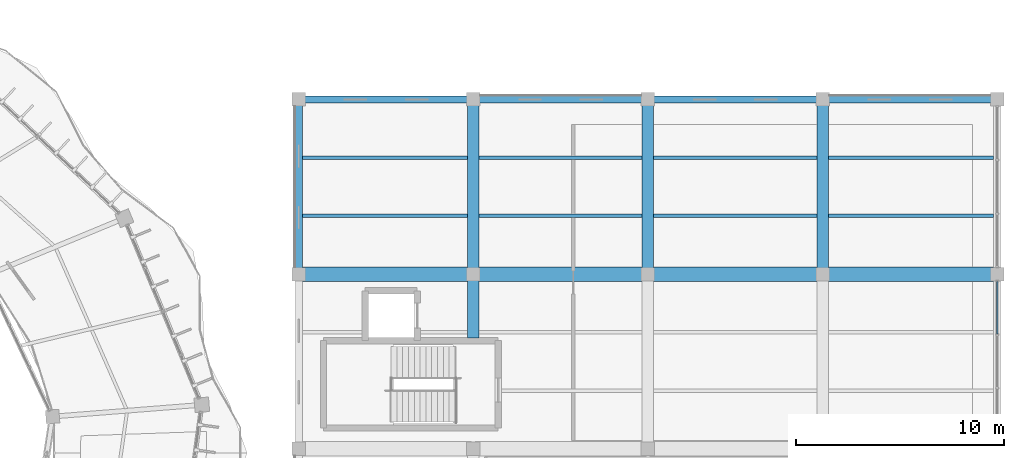
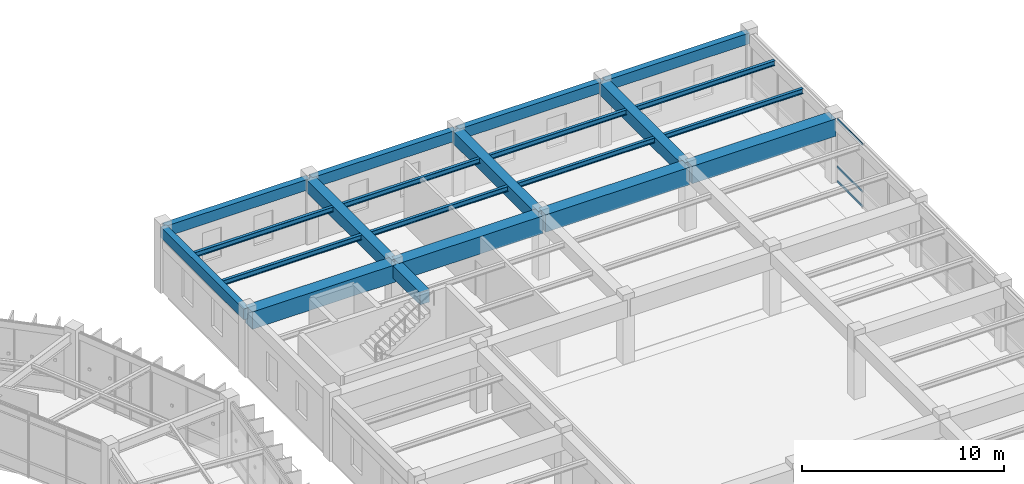
# One storey, part 101 of 138: 21 beams, 3 members, 1 element without a shape of its own.
"""IFC4 building model written with IfcOpenShell, lengths in metres."""

from ifc_helpers import new_model, si_unit, direction, frame, origin, origin_2d, place, context, subcontext, project, spatial, rectangle, hollow_rectangle, i_section, extrude, material, material_profile, profile_set, type_object, element, aggregate, save


model = new_model("IFC4")

# Units and contexts
model_context = context("Model", 3, precision=1e-05, world=origin(), true_north=direction((0.0, 1.0)))
body_context = subcontext(model_context, "Body", "Model", "MODEL_VIEW")
ifc_project = project(units=[si_unit("LENGTHUNIT", "METRE"), si_unit("AREAUNIT", "SQUARE_METRE"), si_unit("VOLUMEUNIT", "CUBIC_METRE"), si_unit("PLANEANGLEUNIT", "RADIAN"), si_unit("MASSUNIT", "GRAM", prefix="KILO"), si_unit("THERMODYNAMICTEMPERATUREUNIT", "KELVIN"), si_unit("POWERUNIT", "WATT")], contexts=[model_context])

# Site, building, storey
site_placement = place(None, origin())
site = spatial("IfcSite", under=ifc_project, at=site_placement, CompositionType="ELEMENT")
building_placement = place(site_placement, origin())
building = spatial("IfcBuilding", under=site, at=building_placement, Name="Darbajah Civic Hall", CompositionType="ELEMENT")
storey_placement = place(building_placement, frame((0.0, 0.0, 9.60009765625)))
storey = spatial("IfcBuildingStorey", under=building, at=storey_placement, Name="L02", CompositionType="ELEMENT", Elevation=9.60009765625)

# Curtain wall, members
ifc_material_1 = material(Name="Anodised Bronze Aluminium and Low-E Glazing", Category="aluminium")
curtain_wall_type = type_object("IfcCurtainWallType", Name="Unitised Curtain Wall CW-97 7700x3850", PredefinedType="USERDEFINED", material=ifc_material_1)
curtain_wall_placement = place(storey_placement, origin())
curtain_wall = element("IfcCurtainWall", 1, at=curtain_wall_placement, inside=storey, type_object=curtain_wall_type, Name="L02 unitised curtain wall CW-V4-L02-S1-B4", ObjectType="UNITISED CURTAIN WALL", PredefinedType="USERDEFINED")
ifc_material_2 = material(Name="Anodised Bronze Aluminium", Category="aluminium")
ifc_material_profile_1 = material_profile(ifc_material_2, hollow_rectangle(XDim=0.06005859375, YDim=0.1201171875, WallThickness=0.003173828125, at=origin_2d()), Name="ALU TRANSOM 60x120")
ifc_profile_set_1 = profile_set([ifc_material_profile_1], Name="Anodised Bronze Aluminium")
member_type = type_object("IfcMemberType", Name="ALU TRANSOM 60x120", PredefinedType="USERDEFINED", material=ifc_profile_set_1)
member_1_placement = place(storey_placement, frame((178.199951171875, 95.52587890625, 0.059814453125), z_axis=(0.0, 1.0, 0.0), x_axis=(-1.0, 0.0, 0.0)))
member_1 = element("IfcMember", 2, at=member_1_placement, type_object=member_type, Name="CW-V4-L02-S1-B4 transom 3.1", ObjectType="TRANSOM", PredefinedType="USERDEFINED", context=body_context, shape_type="SweptSolid", body=[
    extrude(hollow_rectangle(XDim=0.06005859375, YDim=0.1201171875, WallThickness=0.003173828125, at=origin_2d()), origin(), (0.0, 0.0, 1.0), 2.51220703125),
])
member_2_placement = place(storey_placement, frame((178.199951171875, 95.52587890625, 0.949951171875), z_axis=(0.0, 1.0, 0.0), x_axis=(-1.0, 0.0, 0.0)))
member_2 = element("IfcMember", 3, at=member_2_placement, type_object=member_type, Name="CW-V4-L02-S1-B4 transom 3.2", ObjectType="TRANSOM", PredefinedType="USERDEFINED", context=body_context, shape_type="SweptSolid", body=[
    extrude(hollow_rectangle(XDim=0.06005859375, YDim=0.1201171875, WallThickness=0.003173828125, at=origin_2d()), origin(), (0.0, 0.0, 1.0), 2.51220703125),
])
member_3_placement = place(storey_placement, frame((178.199951171875, 95.52587890625, 3.7998046875), z_axis=(0.0, 1.0, 0.0), x_axis=(-1.0, 0.0, 0.0)))
member_3 = element("IfcMember", 4, at=member_3_placement, type_object=member_type, Name="CW-V4-L02-S1-B4 transom 3.3", ObjectType="TRANSOM", PredefinedType="USERDEFINED", context=body_context, shape_type="SweptSolid", body=[
    extrude(hollow_rectangle(XDim=0.06005859375, YDim=0.1201171875, WallThickness=0.003173828125, at=origin_2d()), origin(), (0.0, 0.0, 1.0), 2.51220703125),
])
aggregate(curtain_wall, [member_1, member_2, member_3])

# Beams
ifc_material_3 = material(Name="Concrete C45/55", Category="concrete")
ifc_material_profile_2 = material_profile(ifc_material_3, rectangle(XDim=0.550048828125, YDim=0.75, at=origin_2d()), Name="RC BEAM 550x750")
ifc_profile_set_2 = profile_set([ifc_material_profile_2], Name="Concrete C45/55")
beam_type_1 = type_object("IfcBeamType", Name="RC BEAM 550x750", PredefinedType="BEAM", material=ifc_profile_set_2)
beam_1_placement = place(storey_placement, frame((153.0, 95.340087890625, 3.48486328125), z_axis=(0.0, 1.0, 0.0), x_axis=(-1.0, 0.0, 0.0)))
element("IfcBeam", 5, at=beam_1_placement, inside=storey, type_object=beam_type_1, Name="L02 beam BM-5575", PredefinedType="BEAM", context=body_context, shape_type="SweptSolid", body=[
    extrude(rectangle(XDim=0.550048828125, YDim=0.75, at=origin_2d()), origin(), (0.0, 0.0, 1.0), 2.97998046875),
])
for number, where, z_axis, x_axis, name in (
    (6, (153.0, 98.47998046875, 3.48486328125), (0.0, 1.0, 0.0), (-1.0, 0.0, 0.0), "L02 beam BM-5575"),
    (7, (161.39990234375, 98.47998046875, 3.48486328125), (0.0, 1.0, 0.0), (-1.0, 0.0, 0.0), "L02 beam BM-5575"),
    (8, (169.800048828125, 98.47998046875, 3.48486328125), (0.0, 1.0, 0.0), (-1.0, 0.0, 0.0), "L02 beam BM-5575"),
):
    element("IfcBeam", number, at=place(storey_placement, frame(where, z_axis=z_axis, x_axis=x_axis)), inside=storey, type_object=beam_type_1, Name=name, PredefinedType="BEAM", context=body_context, shape_type="SweptSolid", body=[
        extrude(rectangle(XDim=0.550048828125, YDim=0.75, at=origin_2d()), origin(), (0.0, 0.0, 1.0), 8.239990234375),
    ])
ifc_material_4 = material(Name="Concrete C50/60", Category="concrete")
ifc_material_profile_3 = material_profile(ifc_material_4, rectangle(XDim=0.699951171875, YDim=1.050048828125, at=origin_2d()), Name="RC GIRDER 700x1050")
ifc_profile_set_3 = profile_set([ifc_material_profile_3], Name="Concrete C50/60")
beam_type_2 = type_object("IfcBeamType", Name="RC GIRDER 700x1050", PredefinedType="BEAM", material=ifc_profile_set_3)
for number, where, z_axis, x_axis, name in (
    (9, (144.679931640625, 98.39990234375, 3.3349609375), (1.0, 0.0, 0.0), (0.0, 1.0, 0.0), "L02 beam BG-7010"),
    (10, (153.080078125, 98.39990234375, 3.3349609375), (1.0, 0.0, 0.0), (0.0, 1.0, 0.0), "L02 beam BG-7010"),
    (11, (161.47998046875, 98.39990234375, 3.3349609375), (1.0, 0.0, 0.0), (0.0, 1.0, 0.0), "L02 beam BG-7010"),
):
    element("IfcBeam", number, at=place(storey_placement, frame(where, z_axis=z_axis, x_axis=x_axis)), inside=storey, type_object=beam_type_2, Name=name, PredefinedType="BEAM", context=body_context, shape_type="SweptSolid", body=[
        extrude(rectangle(XDim=0.699951171875, YDim=1.050048828125, at=origin_2d()), origin(), (0.0, 0.0, 1.0), 8.239990234375),
    ])
beam_2_placement = place(storey_placement, frame((169.8798828125, 98.39990234375, 3.3349609375), z_axis=(1.0, 0.0, 0.0), x_axis=(0.0, 1.0, 0.0)))
element("IfcBeam", 12, at=beam_2_placement, inside=storey, type_object=beam_type_2, Name="L02 beam BG-7010", PredefinedType="BEAM", context=body_context, shape_type="SweptSolid", body=[
    extrude(rectangle(XDim=0.699951171875, YDim=1.050048828125, at=origin_2d()), origin(), (0.0, 0.0, 1.0), 8.240234375),
])
ifc_material_profile_4 = material_profile(ifc_material_3, rectangle(XDim=0.35009765625, YDim=0.64990234375, at=origin_2d()), Name="RC SPANDREL 350x650")
ifc_profile_set_4 = profile_set([ifc_material_profile_4], Name="Concrete C45/55")
beam_type_3 = type_object("IfcBeamType", Name="RC SPANDREL 350x650", PredefinedType="SPANDREL", material=ifc_profile_set_4)
for number, where, z_axis, x_axis, name in (
    (13, (144.679931640625, 106.800048828125, 3.534912109375), (1.0, 0.0, 0.0), (0.0, 1.0, 0.0), "L02 beam SP-3565"),
    (14, (153.080078125, 106.800048828125, 3.534912109375), (1.0, 0.0, 0.0), (0.0, 1.0, 0.0), "L02 beam SP-3565"),
    (15, (161.47998046875, 106.800048828125, 3.534912109375), (1.0, 0.0, 0.0), (0.0, 1.0, 0.0), "L02 beam SP-3565"),
):
    element("IfcBeam", number, at=place(storey_placement, frame(where, z_axis=z_axis, x_axis=x_axis)), inside=storey, type_object=beam_type_3, Name=name, PredefinedType="SPANDREL", context=body_context, shape_type="SweptSolid", body=[
        extrude(rectangle(XDim=0.35009765625, YDim=0.64990234375, at=origin_2d()), origin(), (0.0, 0.0, 1.0), 8.239990234375),
    ])
beam_3_placement = place(storey_placement, frame((169.8798828125, 106.800048828125, 3.534912109375), z_axis=(1.0, 0.0, 0.0), x_axis=(0.0, 1.0, 0.0)))
element("IfcBeam", 16, at=beam_3_placement, inside=storey, type_object=beam_type_3, Name="L02 beam SP-3565", PredefinedType="SPANDREL", context=body_context, shape_type="SweptSolid", body=[
    extrude(rectangle(XDim=0.35009765625, YDim=0.64990234375, at=origin_2d()), origin(), (0.0, 0.0, 1.0), 8.240234375),
])
beam_4_placement = place(storey_placement, frame((144.60009765625, 98.47998046875, 3.534912109375), z_axis=(0.0, 1.0, 0.0), x_axis=(-1.0, 0.0, 0.0)))
element("IfcBeam", 17, at=beam_4_placement, inside=storey, type_object=beam_type_3, Name="L02 beam SP-3565", PredefinedType="SPANDREL", context=body_context, shape_type="SweptSolid", body=[
    extrude(rectangle(XDim=0.35009765625, YDim=0.64990234375, at=origin_2d()), origin(), (0.0, 0.0, 1.0), 8.239990234375),
])
ifc_material_5 = material(Name="Steel S355JR", Category="steel")
ifc_material_profile_5 = material_profile(ifc_material_5, i_section(OverallWidth=0.165771484375, OverallDepth=0.306640625, WebThickness=0.006591796875, FlangeThickness=0.01171875, FilletRadius=0.0087890625, at=origin_2d()), Name="UB 305x165x46")
ifc_profile_set_5 = profile_set([ifc_material_profile_5], Name="Steel S355JR")
beam_type_4 = type_object("IfcBeamType", Name="UB 305x165x46", PredefinedType="JOIST", material=ifc_profile_set_5)
for number, where, z_axis, x_axis, name in (
    (18, (144.77490234375, 101.199951171875, 3.70654296875), (1.0, 0.0, 0.0), (0.0, 1.0, 0.0), "L02 beam SJ-305"),
    (19, (144.77490234375, 104.0, 3.70654296875), (1.0, 0.0, 0.0), (0.0, 1.0, 0.0), "L02 beam SJ-305"),
):
    element("IfcBeam", number, at=place(storey_placement, frame(where, z_axis=z_axis, x_axis=x_axis)), inside=storey, type_object=beam_type_4, Name=name, PredefinedType="JOIST", context=body_context, shape_type="SweptSolid", body=[
        extrude(i_section(OverallWidth=0.165771484375, OverallDepth=0.306640625, WebThickness=0.006591796875, FlangeThickness=0.01171875, FilletRadius=0.0087890625, at=origin_2d()), origin(), (0.0, 0.0, 1.0), 7.9501953125),
    ])
for number, where, z_axis, x_axis, name in (
    (20, (153.27490234375, 101.199951171875, 3.70654296875), (1.0, 0.0, 0.0), (0.0, 1.0, 0.0), "L02 beam SJ-305"),
    (21, (153.27490234375, 104.0, 3.70654296875), (1.0, 0.0, 0.0), (0.0, 1.0, 0.0), "L02 beam SJ-305"),
):
    element("IfcBeam", number, at=place(storey_placement, frame(where, z_axis=z_axis, x_axis=x_axis)), inside=storey, type_object=beam_type_4, Name=name, PredefinedType="JOIST", context=body_context, shape_type="SweptSolid", body=[
        extrude(i_section(OverallWidth=0.165771484375, OverallDepth=0.306640625, WebThickness=0.006591796875, FlangeThickness=0.01171875, FilletRadius=0.0087890625, at=origin_2d()), origin(), (0.0, 0.0, 1.0), 7.85009765625),
    ])
for number, where, z_axis, x_axis, name in (
    (22, (161.675048828125, 101.199951171875, 3.70654296875), (1.0, 0.0, 0.0), (0.0, 1.0, 0.0), "L02 beam SJ-305"),
    (23, (161.675048828125, 104.0, 3.70654296875), (1.0, 0.0, 0.0), (0.0, 1.0, 0.0), "L02 beam SJ-305"),
):
    element("IfcBeam", number, at=place(storey_placement, frame(where, z_axis=z_axis, x_axis=x_axis)), inside=storey, type_object=beam_type_4, Name=name, PredefinedType="JOIST", context=body_context, shape_type="SweptSolid", body=[
        extrude(i_section(OverallWidth=0.165771484375, OverallDepth=0.306640625, WebThickness=0.006591796875, FlangeThickness=0.01171875, FilletRadius=0.0087890625, at=origin_2d()), origin(), (0.0, 0.0, 1.0), 7.849853515625),
    ])
for number, where, z_axis, x_axis, name in (
    (24, (170.074951171875, 101.199951171875, 3.70654296875), (1.0, 0.0, 0.0), (0.0, 1.0, 0.0), "L02 beam SJ-305"),
    (25, (170.074951171875, 104.0, 3.70654296875), (1.0, 0.0, 0.0), (0.0, 1.0, 0.0), "L02 beam SJ-305"),
):
    element("IfcBeam", number, at=place(storey_placement, frame(where, z_axis=z_axis, x_axis=x_axis)), inside=storey, type_object=beam_type_4, Name=name, PredefinedType="JOIST", context=body_context, shape_type="SweptSolid", body=[
        extrude(i_section(OverallWidth=0.165771484375, OverallDepth=0.306640625, WebThickness=0.006591796875, FlangeThickness=0.01171875, FilletRadius=0.0087890625, at=origin_2d()), origin(), (0.0, 0.0, 1.0), 7.949951171875),
    ])

save(model, "model.ifc")
